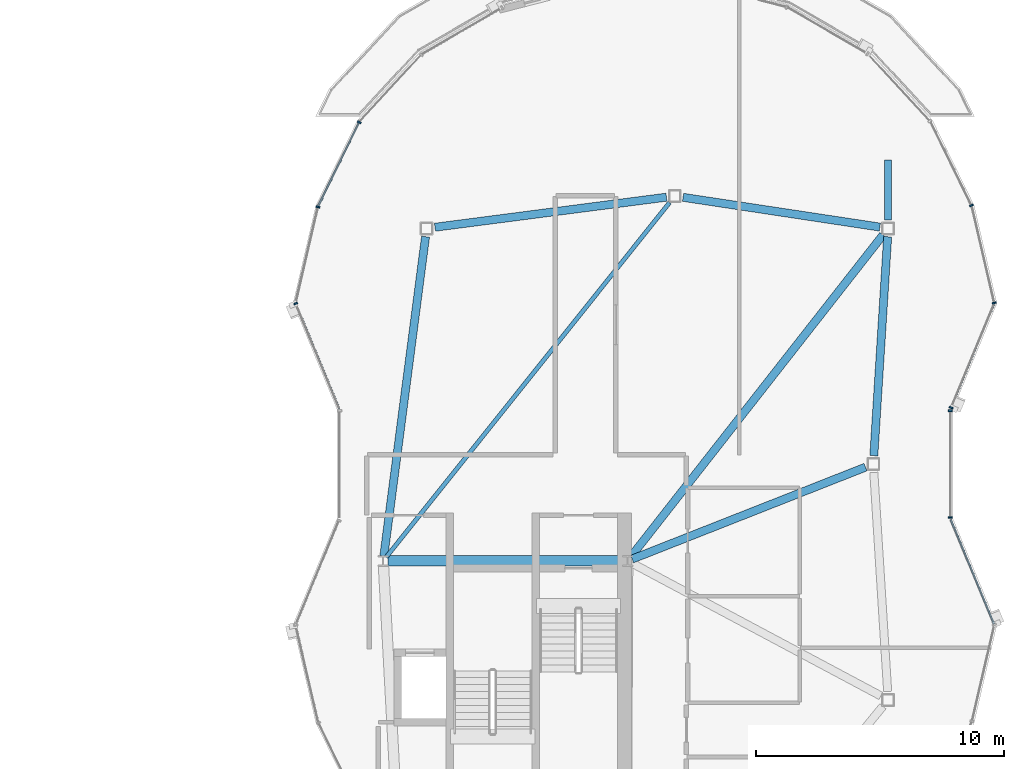
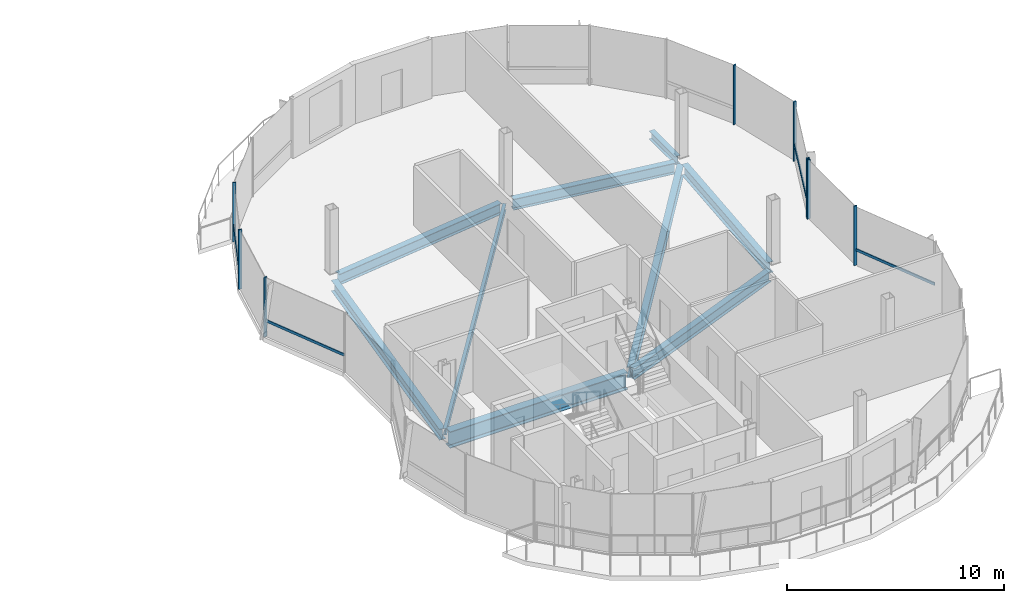
# One storey, part 8 of 20: 12 members, 9 beams, 3 elements without a shape of their own.
"""IFC4 building model written with IfcOpenShell, lengths in metres."""

from ifc_helpers import new_model, si_unit, direction, frame, origin, origin_2d, place, context, subcontext, project, spatial, rectangle, i_section, extrude, material, material_profile, profile_set, type_object, element, aggregate, save


model = new_model("IFC4")

# Units and contexts
model_context = context("Model", 3, precision=1e-05, world=origin(), true_north=direction((0.0, 1.0)))
body_context = subcontext(model_context, "Body", "Model", "MODEL_VIEW")
ifc_project = project(units=[si_unit("LENGTHUNIT", "METRE"), si_unit("AREAUNIT", "SQUARE_METRE"), si_unit("VOLUMEUNIT", "CUBIC_METRE"), si_unit("PLANEANGLEUNIT", "RADIAN"), si_unit("MASSUNIT", "GRAM", prefix="KILO"), si_unit("THERMODYNAMICTEMPERATUREUNIT", "KELVIN"), si_unit("POWERUNIT", "WATT")], contexts=[model_context])

# Site, building, storey
site_placement = place(None, origin())
site = spatial("IfcSite", under=ifc_project, at=site_placement, CompositionType="ELEMENT")
building_placement = place(site_placement, origin())
building = spatial("IfcBuilding", under=site, at=building_placement, Name="Cundina Bronze Exchange", CompositionType="ELEMENT")
storey_placement = place(building_placement, frame((0.0, 0.0, 282.800048828125)))
storey = spatial("IfcBuildingStorey", under=building, at=storey_placement, Name="L75", CompositionType="ELEMENT", Elevation=282.800048828125)

# Beams
ifc_material_1 = material(Name="Steel ASTM A992 Grade 50", Category="steel")
ifc_material_profile_1 = material_profile(ifc_material_1, i_section(OverallWidth=0.280029296875, OverallDepth=0.462890625, WebThickness=0.0107421875, FlangeThickness=0.017333984375, FilletRadius=0.011962890625, at=origin_2d()), Name="W18X76", Category="steel")
ifc_profile_set_1 = profile_set([ifc_material_profile_1], Name="Steel ASTM A992 Grade 50")
beam_type_1 = type_object("IfcBeamType", Name="BM-FLR-W18A", PredefinedType="BEAM", material=ifc_profile_set_1)
beam_1_placement = place(storey_placement, frame((41.800048828125, 9.837890625, -0.49658203125), z_axis=(0.0, 1.0, 0.0), x_axis=(-1.0, 0.0, 0.0)))
element("IfcBeam", 1, at=beam_1_placement, inside=storey, type_object=beam_type_1, Name="L75 E Crown Terrace Edge Bracket 2", PredefinedType="BEAM", context=body_context, shape_type="SweptSolid", body=[
    extrude(i_section(OverallWidth=0.280029296875, OverallDepth=0.462890625, WebThickness=0.0107421875, FlangeThickness=0.017333984375, FilletRadius=0.011962890625, at=origin_2d()), origin(), (0.0, 0.0, 1.0), 2.412109375),
])
ifc_material_profile_2 = material_profile(ifc_material_1, i_section(OverallWidth=0.172119140625, OverallDepth=0.35791015625, WebThickness=0.0078125, FlangeThickness=0.01318359375, FilletRadius=0.010009765625, at=origin_2d()), Name="W14X38", Category="steel")
ifc_profile_set_2 = profile_set([ifc_material_profile_2], Name="Steel ASTM A992 Grade 50")
beam_type_2 = type_object("IfcBeamType", Name="BM-JST-W14", PredefinedType="JOIST", material=ifc_profile_set_2)
beam_2_placement = place(storey_placement, frame((21.572509765625, -3.746826171875, -0.43896484375), z_axis=(0.624372589071, 0.781126667076, 0.0), x_axis=(-0.781126667076, 0.624372589071, 0.0)))
element("IfcBeam", 2, at=beam_2_placement, inside=storey, type_object=beam_type_2, Name="L75 E Interior Core-to-Ring Joist 2", PredefinedType="JOIST", context=body_context, shape_type="SweptSolid", body=[
    extrude(i_section(OverallWidth=0.172119140625, OverallDepth=0.35791015625, WebThickness=0.0078125, FlangeThickness=0.01318359375, FilletRadius=0.010009765625, at=origin_2d()), origin(), (0.0, 0.0, 1.0), 18.28466796875),
])
ifc_material_profile_3 = material_profile(ifc_material_1, i_section(OverallWidth=0.324951171875, OverallDepth=0.615966796875, WebThickness=0.013916015625, FlangeThickness=0.021484375, FilletRadius=0.01611328125, at=origin_2d()), Name="W24X117", Category="steel")
ifc_profile_set_3 = profile_set([ifc_material_profile_3], Name="Steel ASTM A992 Grade 50")
beam_type_3 = type_object("IfcBeamType", Name="BM-RING-W24", PredefinedType="USERDEFINED", material=ifc_profile_set_3)
beam_3_placement = place(storey_placement, frame((41.22119140625, 0.33740234375, -0.568115234375), z_axis=(0.063058935332, 0.998009804899, 0.0), x_axis=(-0.998009804899, 0.063058935332, 0.0)))
element("IfcBeam", 3, at=beam_3_placement, inside=storey, type_object=beam_type_3, Name="L75 E Inner Structural Ring Girder 04", ObjectType="GIRDER", PredefinedType="USERDEFINED", context=body_context, shape_type="SweptSolid", body=[
    extrude(i_section(OverallWidth=0.324951171875, OverallDepth=0.615966796875, WebThickness=0.013916015625, FlangeThickness=0.021484375, FilletRadius=0.01611328125, at=origin_2d()), origin(), (0.0, 0.0, 1.0), 8.8427734375),
])
beam_4_placement = place(storey_placement, frame((41.4658203125, 9.550537109375, -0.568115234375), z_axis=(-0.988766944604, 0.149465478483, 0.0), x_axis=(-0.149465478483, -0.988766944604, 0.0)))
element("IfcBeam", 4, at=beam_4_placement, inside=storey, type_object=beam_type_3, Name="L75 E Inner Structural Ring Girder 05", ObjectType="GIRDER", PredefinedType="USERDEFINED", context=body_context, shape_type="SweptSolid", body=[
    extrude(i_section(OverallWidth=0.324951171875, OverallDepth=0.615966796875, WebThickness=0.013916015625, FlangeThickness=0.021484375, FilletRadius=0.01611328125, at=origin_2d()), origin(), (0.0, 0.0, 1.0), 8.021728515625),
])
beam_5_placement = place(storey_placement, frame((32.86474609375, 10.75634765625, -0.568115234375), z_axis=(-0.991658337433, -0.128894304758, 0.0), x_axis=(0.128894304758, -0.991658337433, 0.0)))
element("IfcBeam", 5, at=beam_5_placement, inside=storey, type_object=beam_type_3, Name="L75 E Inner Structural Ring Girder 06", ObjectType="GIRDER", PredefinedType="USERDEFINED", context=body_context, shape_type="SweptSolid", body=[
    extrude(i_section(OverallWidth=0.324951171875, OverallDepth=0.615966796875, WebThickness=0.013916015625, FlangeThickness=0.021484375, FilletRadius=0.01611328125, at=origin_2d()), origin(), (0.0, 0.0, 1.0), 9.407958984375),
])
beam_6_placement = place(storey_placement, frame((23.15625, 9.164794921875, -0.568115234375), z_axis=(-0.12950080795, -0.991579316414, 0.0), x_axis=(0.991579316414, -0.12950080795, 0.0)))
element("IfcBeam", 6, at=beam_6_placement, inside=storey, type_object=beam_type_3, Name="L75 E Inner Structural Ring Girder 07", ObjectType="GIRDER", PredefinedType="USERDEFINED", context=body_context, shape_type="SweptSolid", body=[
    extrude(i_section(OverallWidth=0.324951171875, OverallDepth=0.615966796875, WebThickness=0.013916015625, FlangeThickness=0.021484375, FilletRadius=0.01611328125, at=origin_2d()), origin(), (0.0, 0.0, 1.0), 12.97998046875),
])
beam_7_placement = place(storey_placement, frame((31.482421875, -3.828125, -0.568115234375), z_axis=(0.93040489789, 0.366533389996, 0.0), x_axis=(-0.366533389996, 0.93040489789, 0.0)))
element("IfcBeam", 7, at=beam_7_placement, inside=storey, type_object=beam_type_3, Name="L75 E Core-to-Waist Tie Beam 1", ObjectType="GIRDER", PredefinedType="USERDEFINED", context=body_context, shape_type="SweptSolid", body=[
    extrude(i_section(OverallWidth=0.324951171875, OverallDepth=0.615966796875, WebThickness=0.013916015625, FlangeThickness=0.021484375, FilletRadius=0.01611328125, at=origin_2d()), origin(), (0.0, 0.0, 1.0), 10.1064453125),
])
beam_8_placement = place(storey_placement, frame((31.4208984375, -3.74560546875, -0.568115234375), z_axis=(0.616789200607, 0.787128377087, 0.0), x_axis=(-0.787128377087, 0.616789200607, 0.0)))
element("IfcBeam", 8, at=beam_8_placement, inside=storey, type_object=beam_type_3, Name="L75 E Core-to-Waist Tie Beam 3", ObjectType="GIRDER", PredefinedType="USERDEFINED", context=body_context, shape_type="SweptSolid", body=[
    extrude(i_section(OverallWidth=0.324951171875, OverallDepth=0.615966796875, WebThickness=0.013916015625, FlangeThickness=0.021484375, FilletRadius=0.01611328125, at=origin_2d()), origin(), (0.0, 0.0, 1.0), 16.48974609375),
])
ifc_material_profile_4 = material_profile(ifc_material_1, i_section(OverallWidth=0.41796875, OverallDepth=0.927001953125, WebThickness=0.019287109375, FlangeThickness=0.031982421875, FilletRadius=0.02392578125, at=origin_2d()), Name="W36X231", Category="steel")
ifc_profile_set_4 = profile_set([ifc_material_profile_4], Name="Steel ASTM A992 Grade 50")
beam_type_4 = type_object("IfcBeamType", Name="BM-WRN-W36B", PredefinedType="USERDEFINED", material=ifc_profile_set_4)
beam_9_placement = place(storey_placement, frame((31.10400390625, -3.89990234375, -0.7236328125), z_axis=(-1.0, 0.0, 0.0), x_axis=(0.0, -1.0, 0.0)))
element("IfcBeam", 9, at=beam_9_placement, inside=storey, type_object=beam_type_4, Name="L75 E Core Perimeter Tie Girder 1", ObjectType="GIRDER", PredefinedType="USERDEFINED", context=body_context, shape_type="SweptSolid", body=[
    extrude(i_section(OverallWidth=0.41796875, OverallDepth=0.927001953125, WebThickness=0.019287109375, FlangeThickness=0.031982421875, FilletRadius=0.02392578125, at=origin_2d()), origin(), (0.0, 0.0, 1.0), 9.4580078125),
])

# Curtain wall, members
ifc_material_2 = material(Name="Anodised Bronze Aluminium 6063-T6", Category="aluminium")
curtain_wall_type = type_object("IfcCurtainWallType", Name="CWS-CRN-TMD", PredefinedType="NOTDEFINED", material=ifc_material_2)
curtain_wall_1_placement = place(storey_placement, origin())
curtain_wall_1 = element("IfcCurtainWall", 10, at=curtain_wall_1_placement, inside=storey, type_object=curtain_wall_type, Name="L75 CW-07 Curtain Wall Run CWR-L75-E1", PredefinedType="NOTDEFINED")
ifc_material_profile_5 = material_profile(ifc_material_2, rectangle(XDim=0.06494140625, YDim=0.159912109375, at=origin_2d()), Name="AL65X160", Category="aluminium")
ifc_profile_set_5 = profile_set([ifc_material_profile_5], Name="Anodised Bronze Aluminium 6063-T6")
member_type_1 = type_object("IfcMemberType", Name="CWM-MUL-160", PredefinedType="MULLION", material=ifc_profile_set_5)
member_1_placement = place(storey_placement, frame((44.335205078125, 2.275390625, 0.0), z_axis=(0.0, 0.0, 1.0), x_axis=(0.383167122078, 0.9236790333, 0.0)))
member_1 = element("IfcMember", 11, at=member_1_placement, type_object=member_type_1, Name="CW-07 Mullion 1", PredefinedType="MULLION", context=body_context, shape_type="SweptSolid", body=[
    extrude(rectangle(XDim=0.06494140625, YDim=0.159912109375, at=origin_2d()), origin(), (0.0, 0.0, 1.0), 3.33984375),
])
member_2_placement = place(storey_placement, frame((46.077392578125, 6.49462890625, 0.0), z_axis=(0.0, 0.0, 1.0), x_axis=(-0.226311311886, 0.974055024171, 0.0)))
member_2 = element("IfcMember", 12, at=member_2_placement, type_object=member_type_1, Name="CW-07 Mullion 2", PredefinedType="MULLION", context=body_context, shape_type="SweptSolid", body=[
    extrude(rectangle(XDim=0.06494140625, YDim=0.159912109375, at=origin_2d()), origin(), (0.0, 0.0, 1.0), 3.33984375),
])
member_3_placement = place(storey_placement, frame((45.15625, 10.4248046875, 0.0), z_axis=(0.0, 0.0, 1.0), x_axis=(-0.439312121178, 0.898334492373, 0.0)))
member_3 = element("IfcMember", 13, at=member_3_placement, type_object=member_type_1, Name="CW-07 Mullion 3", PredefinedType="MULLION", context=body_context, shape_type="SweptSolid", body=[
    extrude(rectangle(XDim=0.06494140625, YDim=0.159912109375, at=origin_2d()), origin(), (0.0, 0.0, 1.0), 3.33984375),
])

curtain_wall_2_placement = place(storey_placement, origin())
curtain_wall_2 = element("IfcCurtainWall", 14, at=curtain_wall_2_placement, inside=storey, type_object=curtain_wall_type, Name="L75 CW-07 Curtain Wall Run CWR-L75-E2", PredefinedType="NOTDEFINED")
member_4_placement = place(storey_placement, frame((20.481689453125, 13.774169921875, 0.0), z_axis=(0.0, 0.0, 1.0), x_axis=(-0.439312121178, -0.898334492373, 0.0)))
member_4 = element("IfcMember", 15, at=member_4_placement, type_object=member_type_1, Name="CW-07 Mullion 3", PredefinedType="MULLION", context=body_context, shape_type="SweptSolid", body=[
    extrude(rectangle(XDim=0.06494140625, YDim=0.159912109375, at=origin_2d()), origin(), (0.0, 0.0, 1.0), 3.33984375),
])
member_5_placement = place(storey_placement, frame((18.821044921875, 10.361083984375, 0.0), z_axis=(0.0, 0.0, 1.0), x_axis=(-0.226311311886, -0.974055024171, 0.0)))
member_5 = element("IfcMember", 16, at=member_5_placement, type_object=member_type_1, Name="CW-07 Mullion 4", PredefinedType="MULLION", context=body_context, shape_type="SweptSolid", body=[
    extrude(rectangle(XDim=0.06494140625, YDim=0.159912109375, at=origin_2d()), origin(), (0.0, 0.0, 1.0), 3.33984375),
])
member_6_placement = place(storey_placement, frame((17.9248046875, 6.46923828125, 0.0), z_axis=(0.0, 0.0, 1.0), x_axis=(0.383167122078, -0.9236790333, 0.0)))
member_6 = element("IfcMember", 17, at=member_6_placement, type_object=member_type_1, Name="CW-07 Mullion 5", PredefinedType="MULLION", context=body_context, shape_type="SweptSolid", body=[
    extrude(rectangle(XDim=0.06494140625, YDim=0.159912109375, at=origin_2d()), origin(), (0.0, 0.0, 1.0), 3.33984375),
])

curtain_wall_3_placement = place(storey_placement, origin())
curtain_wall_3 = element("IfcCurtainWall", 18, at=curtain_wall_3_placement, inside=storey, type_object=curtain_wall_type, Name="L75 CW-07 Curtain Wall Run CWR-L75-E4", PredefinedType="NOTDEFINED")
member_7_placement = place(storey_placement, frame((44.31005859375, -2.1494140625, 0.0), z_axis=(0.0, 0.0, 1.0), x_axis=(0.0, 1.0, 0.0)))
member_7 = element("IfcMember", 19, at=member_7_placement, type_object=member_type_1, Name="CW-07 Mullion 6", PredefinedType="MULLION", context=body_context, shape_type="SweptSolid", body=[
    extrude(rectangle(XDim=0.06494140625, YDim=0.159912109375, at=origin_2d()), origin(), (0.0, 0.0, 1.0), 3.33984375),
])
member_8_placement = place(storey_placement, frame((44.31005859375, 2.1494140625, 0.0), z_axis=(0.0, 0.0, 1.0), x_axis=(0.0, 1.0, 0.0)))
member_8 = element("IfcMember", 20, at=member_8_placement, type_object=member_type_1, Name="CW-07 End Mullion", PredefinedType="MULLION", context=body_context, shape_type="SweptSolid", body=[
    extrude(rectangle(XDim=0.06494140625, YDim=0.159912109375, at=origin_2d()), origin(), (0.0, 0.0, 1.0), 3.33984375),
])

# Member
ifc_material_profile_6 = material_profile(ifc_material_2, rectangle(XDim=0.06494140625, YDim=0.14990234375, at=origin_2d()), Name="AL65X150", Category="aluminium")
ifc_profile_set_6 = profile_set([ifc_material_profile_6], Name="Anodised Bronze Aluminium 6063-T6")
member_type_2 = type_object("IfcMemberType", Name="CWM-TRN-150", PredefinedType="USERDEFINED", material=ifc_profile_set_6)
member_9_placement = place(storey_placement, frame((44.348876953125, 2.308349609375, 0.919921875), z_axis=(0.383217564708, 0.923658106714, 0.0), x_axis=(-0.923658106714, 0.383217564708, 0.0)))
member_9 = element("IfcMember", 21, at=member_9_placement, type_object=member_type_2, Name="CW-07 Spandrel Transom 1", ObjectType="TRANSOM", PredefinedType="USERDEFINED", context=body_context, shape_type="SweptSolid", body=[
    extrude(rectangle(XDim=0.06494140625, YDim=0.14990234375, at=origin_2d()), origin(), (0.0, 0.0, 1.0), 4.54052734375),
])

aggregate(curtain_wall_1, [member_1, member_9, member_2, member_3])

member_10_placement = place(storey_placement, frame((20.466064453125, 13.7421875, 0.919921875), z_axis=(-0.439312304643, -0.898334402653, 0.0), x_axis=(0.898334402653, -0.439312304643, 0.0)))
member_10 = element("IfcMember", 22, at=member_10_placement, type_object=member_type_2, Name="CW-07 Spandrel Transom 3", ObjectType="TRANSOM", PredefinedType="USERDEFINED", context=body_context, shape_type="SweptSolid", body=[
    extrude(rectangle(XDim=0.06494140625, YDim=0.14990234375, at=origin_2d()), origin(), (0.0, 0.0, 1.0), 3.728515625),
])

member_11_placement = place(storey_placement, frame((17.9384765625, 6.436279296875, 0.919921875), z_axis=(0.383244403606, -0.923646971036, 0.0), x_axis=(0.923646971036, 0.383244403606, 0.0)))
member_11 = element("IfcMember", 23, at=member_11_placement, type_object=member_type_2, Name="CW-07 Spandrel Transom 5", ObjectType="TRANSOM", PredefinedType="USERDEFINED", context=body_context, shape_type="SweptSolid", body=[
    extrude(rectangle(XDim=0.06494140625, YDim=0.14990234375, at=origin_2d()), origin(), (0.0, 0.0, 1.0), 4.540771484375),
])

aggregate(curtain_wall_2, [member_4, member_10, member_5, member_6, member_11])

member_12_placement = place(storey_placement, frame((46.0615234375, -6.436279296875, 0.919921875), z_axis=(-0.383244403606, 0.923646971036, 0.0), x_axis=(-0.923646971036, -0.383244403606, 0.0)))
member_12 = element("IfcMember", 24, at=member_12_placement, type_object=member_type_2, Name="CW-07 Spandrel Transom 5", ObjectType="TRANSOM", PredefinedType="USERDEFINED", context=body_context, shape_type="SweptSolid", body=[
    extrude(rectangle(XDim=0.06494140625, YDim=0.14990234375, at=origin_2d()), origin(), (0.0, 0.0, 1.0), 4.540771484375),
])

aggregate(curtain_wall_3, [member_12, member_7, member_8])

save(model, "model.ifc")
